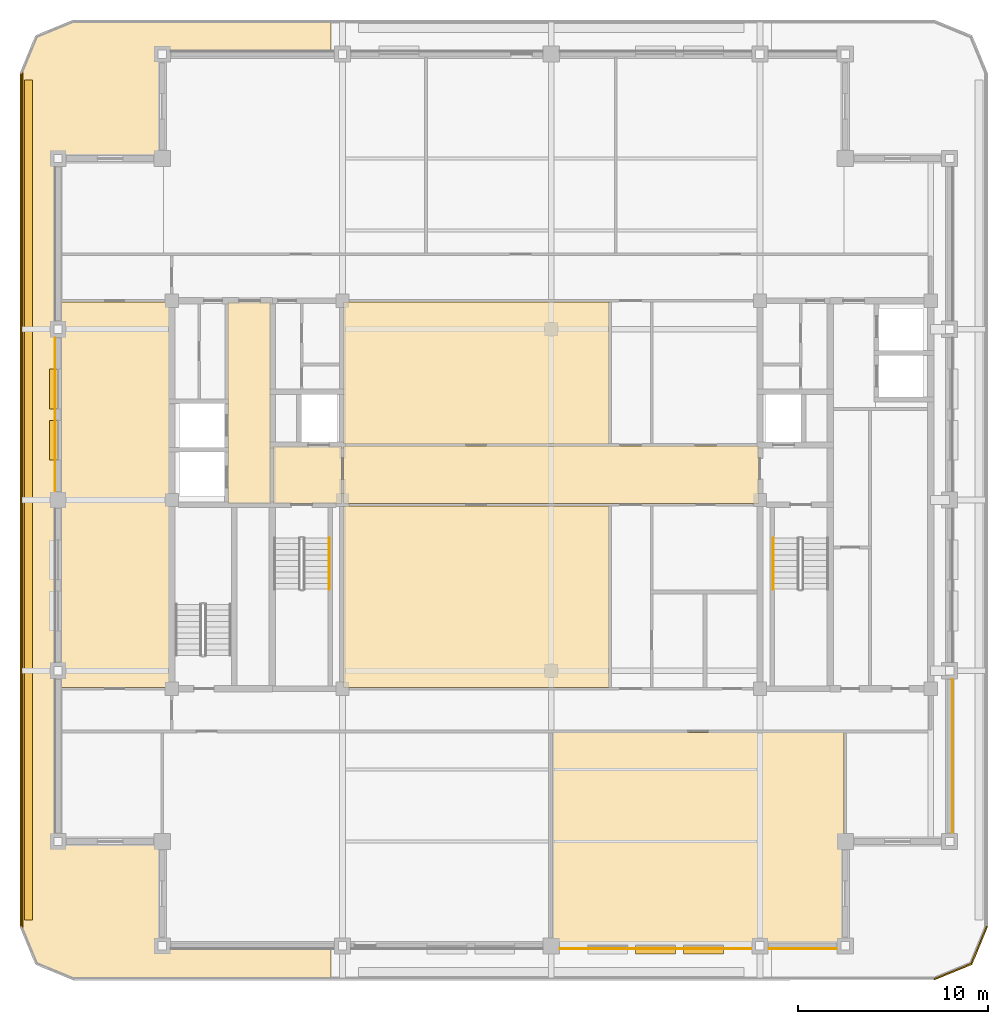
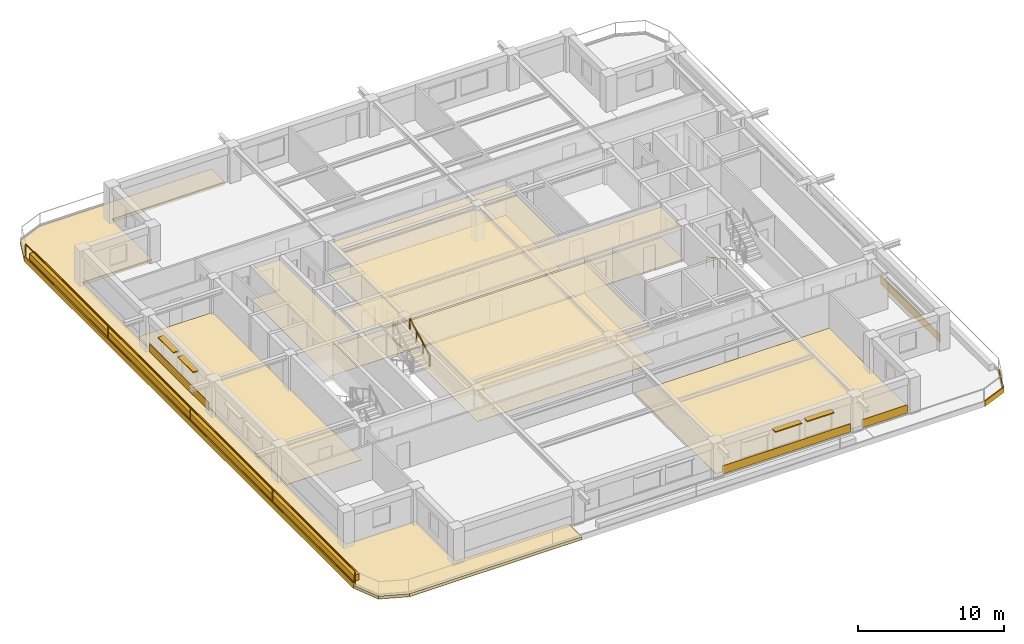
# One storey, part 9 of 11: 21 coverings, 4 shading devices, 3 railings.
"""IFC4 building model written with IfcOpenShell, lengths in metres."""

import ifcopenshell
import ifcopenshell.guid

model = None  # the IFC model being written
_history = None  # IfcOwnerHistory: only IFC2X3 demands one
_inside = {}  # id of a spatial element -> (the spatial element, [elements in it])
_under = {}  # id of a project, library or spatial element -> (it, [spatial elements below it])
_declared = {}  # id of a project -> (the project, [libraries it declares])
_typed = {}  # id of a type object -> (the type object, [elements of that type])
_made_of = {}  # id of a material, layer set ... -> (it, [elements and type objects made of it])


def new_model(schema):
    """Start an empty IFC model of exactly this schema.

    Asked for "IFC4X3", IfcOpenShell would pick the latest addendum, in which some entities
    have other attributes; the version numbers below select the first issue.
    IFC2X3 requires an IfcOwnerHistory on every rooted entity: one is made here for all.
    """
    global model, _history
    if schema == "IFC4X3":
        model = ifcopenshell.file(schema_version=(4, 3, 0, 0))
    else:
        model = ifcopenshell.file(schema=schema)
    _inside.clear()
    _under.clear()
    _declared.clear()
    _typed.clear()
    _made_of.clear()
    _history = None
    if model.schema == "IFC2X3":
        org = make("IfcOrganization", Name="unknown")
        user = make(
            "IfcPersonAndOrganization",
            ThePerson=make("IfcPerson", FamilyName="unknown"),
            TheOrganization=org,
        )
        app = make(
            "IfcApplication",
            ApplicationDeveloper=org,
            Version="unknown",
            ApplicationFullName="unknown",
            ApplicationIdentifier="unknown",
        )
        _history = make(
            "IfcOwnerHistory",
            OwningUser=user,
            OwningApplication=app,
            ChangeAction="ADDED",
            CreationDate=0,
        )
    return model


def make(cls, **values):
    """One entity of the class cls with the attributes given. An attribute that is None is left unset."""
    return model.create_entity(
        cls, **{name: value for name, value in values.items() if value is not None}
    )


def rooted(cls, **values):
    """An entity with a GlobalId (a new one), such as an element, a storey or a relation."""
    return make(cls, GlobalId=ifcopenshell.guid.new(), OwnerHistory=_history, **values)


def si_unit(unit_type, name, prefix=None):
    """IfcSIUnit, for example si_unit("LENGTHUNIT", "METRE", prefix="MILLI")."""
    return make("IfcSIUnit", UnitType=unit_type, Prefix=prefix, Name=name)


def assignment(units):
    """IfcUnitAssignment: the units of a project."""
    return None if units is None else make("IfcUnitAssignment", Units=units)


def point(xyz):
    """IfcCartesianPoint."""
    return None if xyz is None else make("IfcCartesianPoint", Coordinates=xyz)


def direction(xyz):
    """IfcDirection."""
    return None if xyz is None else make("IfcDirection", DirectionRatios=xyz)


def frame(location, z_axis=None, x_axis=None):
    """IfcAxis2Placement3D, a coordinate frame: its origin and axes. An axis left out is left unset."""
    return make(
        "IfcAxis2Placement3D",
        Location=point(location),
        Axis=direction(z_axis),
        RefDirection=direction(x_axis),
    )


def frame_2d(location, x_axis=None):
    """IfcAxis2Placement2D, a coordinate frame in the plane: its origin and x axis."""
    return make(
        "IfcAxis2Placement2D", Location=point(location), RefDirection=direction(x_axis)
    )


def origin():
    """The frame at (0, 0, 0) with its axes left unset."""
    return frame((0.0, 0.0, 0.0))


def origin_2d():
    """The frame at (0, 0) in the plane with its x axis left unset."""
    return frame_2d((0.0, 0.0))


def place(relative_to, where):
    """IfcLocalPlacement: puts the frame where relative to a parent placement (None: the world)."""
    return make(
        "IfcLocalPlacement", PlacementRelTo=relative_to, RelativePlacement=where
    )


def context(
    kind, dimensions, precision=None, world=None, true_north=None, identifier=None
):
    """IfcGeometricRepresentationContext, for example the 3D "Model" context."""
    return make(
        "IfcGeometricRepresentationContext",
        ContextIdentifier=identifier,
        ContextType=kind,
        CoordinateSpaceDimension=dimensions,
        Precision=precision,
        WorldCoordinateSystem=world,
        TrueNorth=true_north,
    )


def subcontext(parent, identifier, kind, view, scale=None):
    """IfcGeometricRepresentationSubContext, for example "Body" below "Model"."""
    return make(
        "IfcGeometricRepresentationSubContext",
        ContextIdentifier=identifier,
        ContextType=kind,
        ParentContext=parent,
        TargetScale=scale,
        TargetView=view,
    )


def project(units=None, contexts=None):
    """IfcProject with its units and contexts."""
    return rooted(
        "IfcProject",
        Name="project",
        RepresentationContexts=contexts,
        UnitsInContext=assignment(units),
    )


def spatial(cls, under=None, at=None, **own):
    """A site, building, storey or space (cls), placed at a placement, below another one or the project."""
    s = rooted(cls, ObjectPlacement=at, **own)
    if under is not None:
        _under.setdefault(under.id(), (under, []))[1].append(s)
    return s


def polyline(points):
    """IfcPolyline through the points."""
    return make("IfcPolyline", Points=[point(p) for p in points])


def profile(cls, at=None, kind="AREA", **sizes):
    """A parametric profile (cls). Its sizes go by their IFC names, for example OverallWidth=200.0."""
    return make(cls, ProfileType=kind, Position=at, **sizes)


def rectangle(**sizes):
    """IfcRectangleProfileDef."""
    return profile("IfcRectangleProfileDef", **sizes)


def outline(outer, holes=None, kind="AREA"):
    """IfcArbitraryClosedProfileDef: a profile drawn as a closed curve; with holes, ...WithVoids."""
    if holes is None:
        return make("IfcArbitraryClosedProfileDef", ProfileType=kind, OuterCurve=outer)
    return make(
        "IfcArbitraryProfileDefWithVoids",
        ProfileType=kind,
        OuterCurve=outer,
        InnerCurves=holes,
    )


def extrude(swept, where, along, depth):
    """IfcExtrudedAreaSolid: the profile swept, set in the frame where, extruded along a direction by depth."""
    return make(
        "IfcExtrudedAreaSolid",
        SweptArea=swept,
        Position=where,
        ExtrudedDirection=direction(along),
        Depth=depth,
    )


def shape(context_of_items, identifier, shape_type, items):
    """IfcShapeRepresentation: the items that make up one representation, for example the "Body"."""
    return make(
        "IfcShapeRepresentation",
        ContextOfItems=context_of_items,
        RepresentationIdentifier=identifier,
        RepresentationType=shape_type,
        Items=items,
    )


def material(Name=None, Category=None):
    """IfcMaterial."""
    return make("IfcMaterial", Name=Name, Category=Category)


def layer(
    of_material, thickness, ventilated=None, Name=None, Category=None, Priority=None
):
    """IfcMaterialLayer: one layer of a wall or slab, of a material (None: an air gap)."""
    return make(
        "IfcMaterialLayer",
        Material=of_material,
        LayerThickness=thickness,
        IsVentilated=ventilated,
        Name=Name,
        Category=Category,
        Priority=Priority,
    )


def layer_set(layers, Name=None):
    """IfcMaterialLayerSet."""
    return make("IfcMaterialLayerSet", MaterialLayers=layers, LayerSetName=Name)


def made_of(thing, what):
    """Note that an element or type object is made of a material, layer set ...; save() writes the relation."""
    if what is not None:
        _made_of.setdefault(what.id(), (what, []))[1].append(thing)
    return thing


def type_object(cls, material=None, **own):
    """A type object (cls), such as IfcWallType, which elements share."""
    return made_of(rooted(cls, **own), material)


def element(
    cls,
    number,
    at=None,
    inside=None,
    cuts=None,
    type_object=None,
    material=None,
    context=None,
    identifier="Body",
    shape_type=None,
    held_by="IfcProductDefinitionShape",
    body=None,
    shapes=None,
    **own,
):
    """One element of the class cls, such as IfcWall. Its Tag is "e" and its number.

    at: its placement. inside: the storey or other place that contains it. cuts: it is an
    opening in that element (IfcRelVoidsElement). A single representation is given by context,
    identifier, shape_type and body (its items); several are given by shapes. held_by: the class
    of the entity that holds the representations. save() writes the other relations.
    """
    e = rooted(cls, Tag="e%d" % number, ObjectPlacement=at, **own)
    if body is not None:
        shapes = [shape(context, identifier, shape_type, body)]
    if shapes is not None:
        e.Representation = make(held_by, Representations=shapes)
    if inside is not None:
        _inside.setdefault(inside.id(), (inside, []))[1].append(e)
    if cuts is not None:
        rooted(
            "IfcRelVoidsElement", RelatingBuildingElement=cuts, RelatedOpeningElement=e
        )
    if type_object is not None:
        _typed.setdefault(type_object.id(), (type_object, []))[1].append(e)
    return made_of(e, material)


def aggregate(whole, parts):
    """IfcRelAggregates: a whole, such as a stair, and the parts it consists of."""
    return rooted("IfcRelAggregates", RelatingObject=whole, RelatedObjects=parts)


def save(model, path):
    """Write the relations noted so far, then the file.

    IfcRelAggregates (storeys below a building ...), IfcRelContainedInSpatialStructure (elements
    in a storey), IfcRelDefinesByType, IfcRelAssociatesMaterial and IfcRelDeclares: one each for
    every whole, place, type object, material and project.
    """
    for whole, parts in _under.values():
        aggregate(whole, parts)
    for where, things in _inside.values():
        rooted(
            "IfcRelContainedInSpatialStructure",
            RelatedElements=things,
            RelatingStructure=where,
        )
    for kind, things in _typed.values():
        rooted("IfcRelDefinesByType", RelatedObjects=things, RelatingType=kind)
    for what, things in _made_of.values():
        rooted("IfcRelAssociatesMaterial", RelatedObjects=things, RelatingMaterial=what)
    for by, libraries in _declared.values():
        rooted("IfcRelDeclares", RelatingContext=by, RelatedDefinitions=libraries)
    model.write(path)


model = new_model("IFC4")

# Units and contexts
model_context = context("Model", 3, precision=1e-05, world=origin(), true_north=direction((0.0, 1.0)))
body_context = subcontext(model_context, "Body", "Model", "MODEL_VIEW")
ifc_project = project(units=[si_unit("LENGTHUNIT", "METRE"), si_unit("AREAUNIT", "SQUARE_METRE"), si_unit("VOLUMEUNIT", "CUBIC_METRE"), si_unit("PLANEANGLEUNIT", "RADIAN"), si_unit("MASSUNIT", "GRAM", prefix="KILO")], contexts=[model_context])

# Site, building, storey
site_placement = place(None, origin())
site = spatial("IfcSite", under=ifc_project, at=site_placement, CompositionType="ELEMENT")
building_placement = place(site_placement, origin())
building = spatial("IfcBuilding", under=site, at=building_placement, Name="Zulmaris Gate Convention Tower", CompositionType="ELEMENT")
storey_placement = place(building_placement, frame((0.0, 0.0, 260.889892578125)))
storey = spatial("IfcBuildingStorey", under=building, at=storey_placement, Name="L69", CompositionType="ELEMENT", Elevation=260.889892578125)

# Coverings
ifc_material_1 = material(Name="Precast concrete C40/50", Category="concrete")
ifc_layer_1 = layer(ifc_material_1, 0.0400390625, Name="Precast concrete C40/50")
ifc_layer_set_1 = layer_set([ifc_layer_1], Name="Precast concrete C40/50")
covering_type_1 = type_object("IfcCoveringType", Name="CLAD-SPANDREL-PRECAST", PredefinedType="CLADDING", material=ifc_layer_set_1)
covering_1_placement = place(storey_placement, frame((0.455078125, -23.64990234375, 0.0), z_axis=(0.0, 0.0, 1.0), x_axis=(1.0, 0.0, 0.0)))
element("IfcCovering", 1, at=covering_1_placement, inside=storey, type_object=covering_type_1, Name="CLD-L69-S-2_0", PredefinedType="CLADDING", context=body_context, shape_type="SweptSolid", body=[
    extrude(rectangle(XDim=10.08984375, YDim=0.0400390625, at=frame_2d((5.044921875, 0.0))), origin(), (0.0, 0.0, 1.0), 0.679931640625),
])
covering_2_placement = place(storey_placement, frame((11.455078125, -23.64990234375, 0.0), z_axis=(0.0, 0.0, 1.0), x_axis=(1.0, 0.0, 0.0)))
element("IfcCovering", 2, at=covering_2_placement, inside=storey, type_object=covering_type_1, Name="CLD-L69-S-3_0", PredefinedType="CLADDING", context=body_context, shape_type="SweptSolid", body=[
    extrude(rectangle(XDim=3.58984375, YDim=0.0400390625, at=frame_2d((1.794921875, 0.0))), origin(), (0.0, 0.0, 1.0), 0.679931640625),
])
for number, where, z_axis, x_axis, name in (
    (3, (21.14990234375, -17.544921875, 0.0), (0.0, 0.0, 1.0), (0.0, 1.0, 0.0), "CLD-L69-E-0_0"),
    (4, (-26.14990234375, 8.544921875, 0.0), (0.0, 0.0, 1.0), (0.0, -1.0, 0.0), "CLD-L69-W-2_0"),
):
    element("IfcCovering", number, at=place(storey_placement, frame(where, z_axis=z_axis, x_axis=x_axis)), inside=storey, type_object=covering_type_1, Name=name, PredefinedType="CLADDING", context=body_context, shape_type="SweptSolid", body=[
        extrude(rectangle(XDim=8.08984375, YDim=0.0400390625, at=frame_2d((4.044921875, 0.0))), origin(), (0.0, 0.0, 1.0), 0.679931640625),
    ])
ifc_material_2 = material(Name="White Glazed Architectural Precast Concrete C40/50", Category="concrete")
ifc_layer_2 = layer(ifc_material_2, 0.239990234375, Name="White Glazed Architectural Precast Concrete C40/50")
ifc_layer_set_2 = layer_set([ifc_layer_2], Name="White Glazed Architectural Precast Concrete C40/50")
covering_type_2 = type_object("IfcCoveringType", Name="CLAD-TRAY-DECK", PredefinedType="CLADDING", material=ifc_layer_set_2)
covering_3_placement = place(storey_placement, frame((0.0, 0.0, -0.25)))
element("IfcCovering", 5, at=covering_3_placement, inside=storey, type_object=covering_type_2, Name="L69 West Rounded-Fascia Planter Tray Deck", PredefinedType="CLADDING", context=body_context, shape_type="SweptSolid", body=[
    extrude(outline(polyline([(-28.0, 22.5), (-27.179931640625, 24.47998046875), (-25.199951171875, 25.300048828125), (-11.60205078125, 25.300048828125), (-11.60205078125, 23.5), (-20.5, 23.5), (-20.5, 18.0), (-26.0, 18.0), (-26.0, -18.0), (-20.5, -18.0), (-20.5, -23.5), (-11.60205078125, -23.5), (-11.60205078125, -25.300048828125), (-25.199951171875, -25.300048828125), (-27.179931640625, -24.47998046875), (-28.0, -22.5), (-28.0, 22.5)])), origin(), (0.0, 0.0, 1.0), 0.239990234375),
])
ifc_layer_3 = layer(ifc_material_2, 0.080078125, Name="White Glazed Architectural Precast Concrete C40/50")
ifc_layer_set_3 = layer_set([ifc_layer_3], Name="White Glazed Architectural Precast Concrete C40/50")
covering_type_3 = type_object("IfcCoveringType", Name="CLAD-TRAY-FASCIA", PredefinedType="CLADDING", material=ifc_layer_set_3)
covering_4_placement = place(storey_placement, frame((20.184814453125, -25.262939453125, -0.2900390625), z_axis=(0.0, 0.0, 1.0), x_axis=(0.923873803533, 0.382697263049, 0.0)))
element("IfcCovering", 6, at=covering_4_placement, inside=storey, type_object=covering_type_3, Name="FSC-L69-TR-03", PredefinedType="CLADDING", context=body_context, shape_type="SweptSolid", body=[
    extrude(rectangle(XDim=2.142822265625, YDim=0.080078125, at=frame_2d((1.0712890625, 0.0))), origin(), (0.0, 0.0, 1.0), 0.43994140625),
])
covering_5_placement = place(storey_placement, frame((22.142822265625, -24.464599609375, -0.2900390625), z_axis=(0.0, 0.0, 1.0), x_axis=(0.382656984709, 0.923890487046, 0.0)))
element("IfcCovering", 7, at=covering_5_placement, inside=storey, type_object=covering_type_3, Name="FSC-L69-TR-04", PredefinedType="CLADDING", context=body_context, shape_type="SweptSolid", body=[
    extrude(rectangle(XDim=2.14306640625, YDim=0.080078125, at=frame_2d((1.071533203125, 0.0))), origin(), (0.0, 0.0, 1.0), 0.43994140625),
])
covering_6_placement = place(storey_placement, frame((-27.9599609375, 22.5, -0.2900390625), z_axis=(0.0, 0.0, 1.0), x_axis=(0.0, -1.0, 0.0)))
element("IfcCovering", 8, at=covering_6_placement, inside=storey, type_object=covering_type_3, Name="FSC-L69-TR-11", PredefinedType="CLADDING", context=body_context, shape_type="SweptSolid", body=[
    extrude(rectangle(XDim=45.0, YDim=0.080078125, at=frame_2d((22.5, 0.0))), origin(), (0.0, 0.0, 1.0), 0.43994140625),
])
ifc_material_3 = material(Name="Mineral Fibre Acoustic Ceiling Tile")
ifc_layer_4 = layer(ifc_material_3, 0.02001953125, Name="Mineral Fibre Acoustic Ceiling Tile")
ifc_layer_set_4 = layer_set([ifc_layer_4], Name="Mineral Fibre Acoustic Ceiling Tile")
covering_type_4 = type_object("IfcCoveringType", Name="CLG-ACOUSTIC-600", PredefinedType="CEILING", material=ifc_layer_set_4)
covering_7_placement = place(storey_placement, frame((0.0, 0.0, 2.699951171875)))
element("IfcCovering", 9, at=covering_7_placement, inside=storey, type_object=covering_type_4, Name="CLG-L69-R03", PredefinedType="CEILING", context=body_context, shape_type="SweptSolid", body=[
    extrude(outline(polyline([(-14.639892578125, -0.18994140625), (-11.06005859375, -0.18994140625), (-11.06005859375, 2.840087890625), (-14.639892578125, 2.840087890625), (-14.639892578125, -0.18994140625)])), origin(), (0.0, 0.0, 1.0), 0.02001953125),
])
covering_8_placement = place(storey_placement, frame((0.0, 0.0, 2.5380859375)))
element("IfcCovering", 10, at=covering_8_placement, inside=storey, type_object=covering_type_4, Name="CLG-L69-R21", PredefinedType="CEILING", context=body_context, shape_type="SweptSolid", body=[
    extrude(outline(polyline([(-17.0400390625, -0.18994140625), (-14.760009765625, -0.18994140625), (-14.760009765625, 10.43994140625), (-17.0400390625, 10.43994140625), (-17.0400390625, -0.18994140625)])), origin(), (0.0, 0.0, 1.0), 0.02001953125),
])
covering_9_placement = place(storey_placement, frame((0.0, 0.0, 2.5380859375)))
element("IfcCovering", 11, at=covering_9_placement, inside=storey, type_object=covering_type_4, Name="CLG-L69-R34", PredefinedType="CEILING", context=body_context, shape_type="SweptSolid", body=[
    extrude(outline(polyline([(-10.93994140625, -0.18994140625), (10.93994140625, -0.18994140625), (10.93994140625, 2.840087890625), (-10.93994140625, 2.840087890625), (-10.93994140625, -0.18994140625)])), origin(), (0.0, 0.0, 1.0), 0.02001953125),
])
covering_10_placement = place(storey_placement, frame((0.0, 0.0, 2.5380859375)))
element("IfcCovering", 12, at=covering_10_placement, inside=storey, type_object=covering_type_4, Name="CLG-L69-R42", PredefinedType="CEILING", context=body_context, shape_type="SweptSolid", body=[
    extrude(outline(polyline([(-10.93994140625, 2.9599609375), (3.0400390625, 2.9599609375), (3.0400390625, 10.43994140625), (-10.93994140625, 10.43994140625), (-10.93994140625, 2.9599609375)])), origin(), (0.0, 0.0, 1.0), 0.02001953125),
])
covering_11_placement = place(storey_placement, frame((0.0, 0.0, 2.5380859375)))
element("IfcCovering", 13, at=covering_11_placement, inside=storey, type_object=covering_type_4, Name="CLG-L69-R44", PredefinedType="CEILING", context=body_context, shape_type="SweptSolid", body=[
    extrude(outline(polyline([(-10.93994140625, -9.889892578125), (3.0400390625, -9.889892578125), (3.0400390625, -0.31005859375), (-10.93994140625, -0.31005859375), (-10.93994140625, -9.889892578125)])), origin(), (0.0, 0.0, 1.0), 0.02001953125),
])
ifc_material_4 = material(Name="Woven Acoustic Wool Carpet Tile")
ifc_layer_5 = layer(ifc_material_4, 0.02001953125, Name="Woven Acoustic Wool Carpet Tile")
ifc_layer_set_5 = layer_set([ifc_layer_5], Name="Woven Acoustic Wool Carpet Tile")
covering_type_5 = type_object("IfcCoveringType", Name="FLR-CARPET-12", PredefinedType="FLOORING", material=ifc_layer_set_5)
covering_12_placement = place(storey_placement, origin())
element("IfcCovering", 14, at=covering_12_placement, inside=storey, type_object=covering_type_5, Name="FLR-L69-R03", PredefinedType="FLOORING", context=body_context, shape_type="SweptSolid", body=[
    extrude(outline(polyline([(-14.639892578125, -0.18994140625), (-11.06005859375, -0.18994140625), (-11.06005859375, 2.840087890625), (-14.639892578125, 2.840087890625), (-14.639892578125, -0.18994140625)])), origin(), (0.0, 0.0, 1.0), 0.02001953125),
])
covering_13_placement = place(storey_placement, origin())
element("IfcCovering", 15, at=covering_13_placement, inside=storey, type_object=covering_type_5, Name="FLR-L69-R21", PredefinedType="FLOORING", context=body_context, shape_type="SweptSolid", body=[
    extrude(outline(polyline([(-17.0400390625, -0.18994140625), (-14.760009765625, -0.18994140625), (-14.760009765625, 10.43994140625), (-17.0400390625, 10.43994140625), (-17.0400390625, -0.18994140625)])), origin(), (0.0, 0.0, 1.0), 0.02001953125),
])
covering_14_placement = place(storey_placement, origin())
element("IfcCovering", 16, at=covering_14_placement, inside=storey, type_object=covering_type_5, Name="FLR-L69-R34", PredefinedType="FLOORING", context=body_context, shape_type="SweptSolid", body=[
    extrude(outline(polyline([(-10.93994140625, -0.18994140625), (10.93994140625, -0.18994140625), (10.93994140625, 2.840087890625), (-10.93994140625, 2.840087890625), (-10.93994140625, -0.18994140625)])), origin(), (0.0, 0.0, 1.0), 0.02001953125),
])
covering_15_placement = place(storey_placement, origin())
element("IfcCovering", 17, at=covering_15_placement, inside=storey, type_object=covering_type_5, Name="FLR-L69-R41", PredefinedType="FLOORING", context=body_context, shape_type="SweptSolid", body=[
    extrude(outline(polyline([(0.06005859375, -23.43994140625), (15.43994140625, -23.43994140625), (15.43994140625, -12.260009765625), (0.06005859375, -12.260009765625), (0.06005859375, -23.43994140625)])), origin(), (0.0, 0.0, 1.0), 0.02001953125),
])
covering_16_placement = place(storey_placement, origin())
element("IfcCovering", 18, at=covering_16_placement, inside=storey, type_object=covering_type_5, Name="FLR-L69-R44", PredefinedType="FLOORING", context=body_context, shape_type="SweptSolid", body=[
    extrude(outline(polyline([(-10.93994140625, -9.889892578125), (3.0400390625, -9.889892578125), (3.0400390625, -0.31005859375), (-10.93994140625, -0.31005859375), (-10.93994140625, -9.889892578125)])), origin(), (0.0, 0.0, 1.0), 0.02001953125),
])
covering_17_placement = place(storey_placement, origin())
element("IfcCovering", 19, at=covering_17_placement, inside=storey, type_object=covering_type_5, Name="FLR-L69-R50", PredefinedType="FLOORING", context=body_context, shape_type="SweptSolid", body=[
    extrude(outline(polyline([(-25.93994140625, -9.889892578125), (-20.06005859375, -9.889892578125), (-20.06005859375, 10.43994140625), (-25.93994140625, 10.43994140625), (-25.93994140625, -9.889892578125)])), origin(), (0.0, 0.0, 1.0), 0.02001953125),
])
ifc_material_5 = material(Name="Polished Granite Terrazzo Tile", Category="masonry")
ifc_layer_6 = layer(ifc_material_5, 0.02001953125, Name="Polished Granite Terrazzo Tile")
ifc_layer_set_6 = layer_set([ifc_layer_6], Name="Polished Granite Terrazzo Tile")
covering_type_6 = type_object("IfcCoveringType", Name="FLR-TERRAZZO-30", PredefinedType="FLOORING", material=ifc_layer_set_6)
covering_18_placement = place(storey_placement, origin())
element("IfcCovering", 20, at=covering_18_placement, inside=storey, type_object=covering_type_6, Name="FLR-L69-R42", PredefinedType="FLOORING", context=body_context, shape_type="SweptSolid", body=[
    extrude(outline(polyline([(-10.93994140625, 2.9599609375), (3.0400390625, 2.9599609375), (3.0400390625, 10.43994140625), (-10.93994140625, 10.43994140625), (-10.93994140625, 2.9599609375)])), origin(), (0.0, 0.0, 1.0), 0.02001953125),
])
ifc_material_6 = material(Name="Botanical Green Glazed Precast Concrete C40/50", Category="concrete")
ifc_layer_7 = layer(ifc_material_6, 0.419921875, Name="Botanical Green Glazed Precast Concrete C40/50")
ifc_layer_set_7 = layer_set([ifc_layer_7], Name="Botanical Green Glazed Precast Concrete C40/50")
covering_type_7 = type_object("IfcCoveringType", Name="PLANTER-BOX-200", PredefinedType="CLADDING", material=ifc_layer_set_7)
covering_19_placement = place(storey_placement, frame((0.0, 0.0, -0.010009765625)))
element("IfcCovering", 21, at=covering_19_placement, inside=storey, type_object=covering_type_7, Name="L69 W Full-Length Balcony Tree Planter Trough", PredefinedType="CLADDING", context=body_context, shape_type="SweptSolid", body=[
    extrude(outline(polyline([(-27.760009765625, -22.14990234375), (-27.340087890625, -22.14990234375), (-27.340087890625, 22.14990234375), (-27.760009765625, 22.14990234375), (-27.760009765625, -22.14990234375)])), origin(), (0.0, 0.0, 1.0), 0.52001953125),
])

# Railings
ifc_material_7 = material(Name="Laminated Glass and Stainless Steel", Category="steel")
railing_type_1 = type_object("IfcRailingType", Name="RL-BALC-1150", PredefinedType="BALUSTRADE", material=ifc_material_7)
railing_1_placement = place(storey_placement, frame((-27.8798828125, 22.5, -0.010009765625)))
element("IfcRailing", 22, at=railing_1_placement, inside=storey, type_object=railing_type_1, Name="RL-L69-BALC-W", PredefinedType="BALUSTRADE", context=body_context, shape_type="SweptSolid", body=[
    extrude(rectangle(XDim=0.048095703125, YDim=0.048095703125, at=origin_2d()), frame((0.0, 0.0, 1.1259765625), z_axis=(0.0, -1.0, 0.0), x_axis=(1.0, 0.0, 0.0)), (0.0, 0.0, 1.0), 45.0),
    extrude(rectangle(XDim=0.048095703125, YDim=0.048095703125, at=origin_2d()), frame((0.0, 0.0, 0.02392578125), z_axis=(0.0, -1.0, 0.0), x_axis=(1.0, 0.0, 0.0)), (0.0, 0.0, 1.0), 45.0),
    extrude(rectangle(XDim=0.0419921875, YDim=0.0419921875, at=origin_2d()), origin(), (0.0, 0.0, 1.0), 1.101806640625),
    extrude(rectangle(XDim=0.0419921875, YDim=0.0419921875, at=origin_2d()), frame((0.0, -11.25, 0.0)), (0.0, 0.0, 1.0), 1.101806640625),
    extrude(rectangle(XDim=0.0419921875, YDim=0.0419921875, at=origin_2d()), frame((0.0, -22.5, 0.0)), (0.0, 0.0, 1.0), 1.101806640625),
    extrude(rectangle(XDim=0.0419921875, YDim=0.0419921875, at=origin_2d()), frame((0.0, -33.75, 0.0)), (0.0, 0.0, 1.0), 1.101806640625),
    extrude(rectangle(XDim=0.0419921875, YDim=0.0419921875, at=origin_2d()), frame((0.0, -45.0, 0.0)), (0.0, 0.0, 1.0), 1.101806640625),
])
ifc_material_8 = material(Name="Brushed Stainless Steel", Category="steel")
railing_type_2 = type_object("IfcRailingType", Name="RL-STH-900", PredefinedType="HANDRAIL", material=ifc_material_8)
railing_2_placement = place(storey_placement, frame((-11.7099609375, -4.699951171875, 1.776611328125)))
element("IfcRailing", 23, at=railing_2_placement, inside=storey, type_object=railing_type_2, Name="L69 ST-1 stair handrail 2", PredefinedType="HANDRAIL", context=body_context, shape_type="SweptSolid", body=[
    extrude(rectangle(XDim=0.048095703125, YDim=0.048095703125, at=origin_2d()), frame((0.0, 0.0, 0.8759765625), z_axis=(0.0, 0.880532452117, 0.47398586558), x_axis=(-1.0, 0.0, 0.0)), (0.0, 0.0, 1.0), 3.066162109375),
    extrude(rectangle(XDim=0.0419921875, YDim=0.0419921875, at=origin_2d()), origin(), (0.0, 0.0, 1.0), 0.851806640625),
    extrude(rectangle(XDim=0.0419921875, YDim=0.0419921875, at=origin_2d()), frame((0.0, 0.89990234375, 0.484375)), (0.0, 0.0, 1.0), 0.851806640625),
    extrude(rectangle(XDim=0.0419921875, YDim=0.0419921875, at=origin_2d()), frame((0.0, 1.800048828125, 0.968994140625)), (0.0, 0.0, 1.0), 0.851806640625),
    extrude(rectangle(XDim=0.0419921875, YDim=0.0419921875, at=origin_2d()), frame((0.0, 2.699951171875, 1.453369140625)), (0.0, 0.0, 1.0), 0.851806640625),
])
railing_3_placement = place(storey_placement, frame((11.7099609375, -2.0, 0.16162109375)))
element("IfcRailing", 24, at=railing_3_placement, inside=storey, type_object=railing_type_2, Name="L69 ST-2 stair handrail 1", PredefinedType="HANDRAIL", context=body_context, shape_type="SweptSolid", body=[
    extrude(rectangle(XDim=0.048095703125, YDim=0.048095703125, at=origin_2d()), frame((0.0, 0.0, 0.8759765625), z_axis=(0.0, -0.880532452117, 0.47398586558), x_axis=(1.0, 0.0, 0.0)), (0.0, 0.0, 1.0), 3.066162109375),
    extrude(rectangle(XDim=0.0419921875, YDim=0.0419921875, at=origin_2d()), origin(), (0.0, 0.0, 1.0), 0.851806640625),
    extrude(rectangle(XDim=0.0419921875, YDim=0.0419921875, at=origin_2d()), frame((0.0, -0.89990234375, 0.484375)), (0.0, 0.0, 1.0), 0.851806640625),
    extrude(rectangle(XDim=0.0419921875, YDim=0.0419921875, at=origin_2d()), frame((0.0, -1.800048828125, 0.968994140625)), (0.0, 0.0, 1.0), 0.851806640625),
    extrude(rectangle(XDim=0.0419921875, YDim=0.0419921875, at=origin_2d()), frame((0.0, -2.699951171875, 1.453369140625)), (0.0, 0.0, 1.0), 0.851806640625),
])

# Shading devices
ifc_material_9 = material(Name="Glazed Ceramic Terracotta", Category="masonry")
ifc_layer_8 = layer(ifc_material_9, 0.070068359375, Name="Glazed Ceramic Terracotta")
ifc_layer_set_8 = layer_set([ifc_layer_8], Name="Glazed Ceramic Terracotta")
shading_device_type = type_object("IfcShadingDeviceType", Name="SHD-SUNSHADE-TC", PredefinedType="AWNING", material=ifc_layer_set_8)
for number, where, z_axis, x_axis, name in (
    (25, (4.449951171875, -23.719970703125, 2.22998046875), (0.0, 0.0, 1.0), (1.0, 0.0, 0.0), "SHD-EW-L69-S-2_0-2"),
    (26, (6.972900390625, -23.719970703125, 2.22998046875), (0.0, 0.0, 1.0), (1.0, 0.0, 0.0), "SHD-EW-L69-S-2_0-3"),
):
    element("IfcShadingDevice", number, at=place(storey_placement, frame(where, z_axis=z_axis, x_axis=x_axis)), inside=storey, type_object=shading_device_type, Name=name, PredefinedType="AWNING", context=body_context, shape_type="SweptSolid", body=[
        extrude(rectangle(XDim=2.10009765625, YDim=0.43994140625, at=frame_2d((1.050048828125, 0.0))), origin(), (0.0, 0.0, 1.0), 0.070068359375),
    ])
for number, where, z_axis, x_axis, name in (
    (27, (-26.219970703125, 6.89794921875, 2.22998046875), (0.0, 0.0, 1.0), (0.0, -1.0, 0.0), "SHD-EW-L69-W-2_0-1"),
    (28, (-26.219970703125, 4.201904296875, 2.22998046875), (0.0, 0.0, 1.0), (0.0, -1.0, 0.0), "SHD-EW-L69-W-2_0-2"),
):
    element("IfcShadingDevice", number, at=place(storey_placement, frame(where, z_axis=z_axis, x_axis=x_axis)), inside=storey, type_object=shading_device_type, Name=name, PredefinedType="AWNING", context=body_context, shape_type="SweptSolid", body=[
        extrude(rectangle(XDim=2.099853515625, YDim=0.43994140625, at=frame_2d((1.0498046875, 0.0))), origin(), (0.0, 0.0, 1.0), 0.070068359375),
    ])

save(model, "model.ifc")
